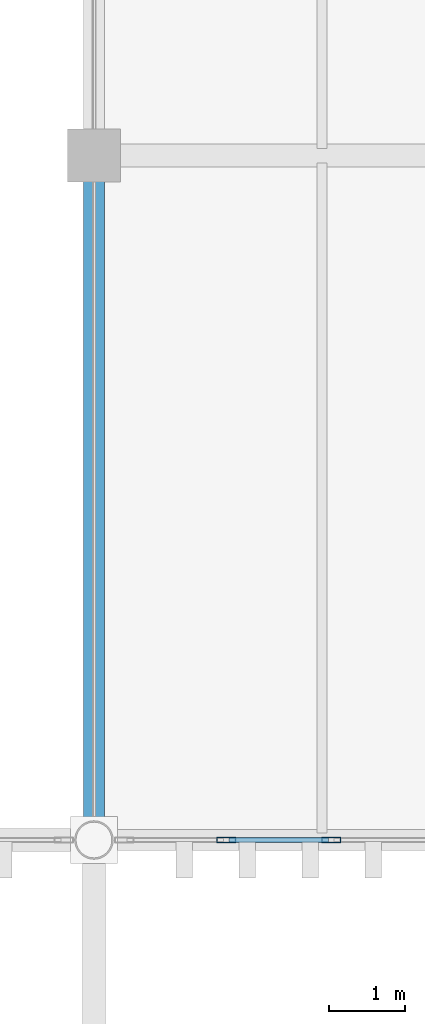
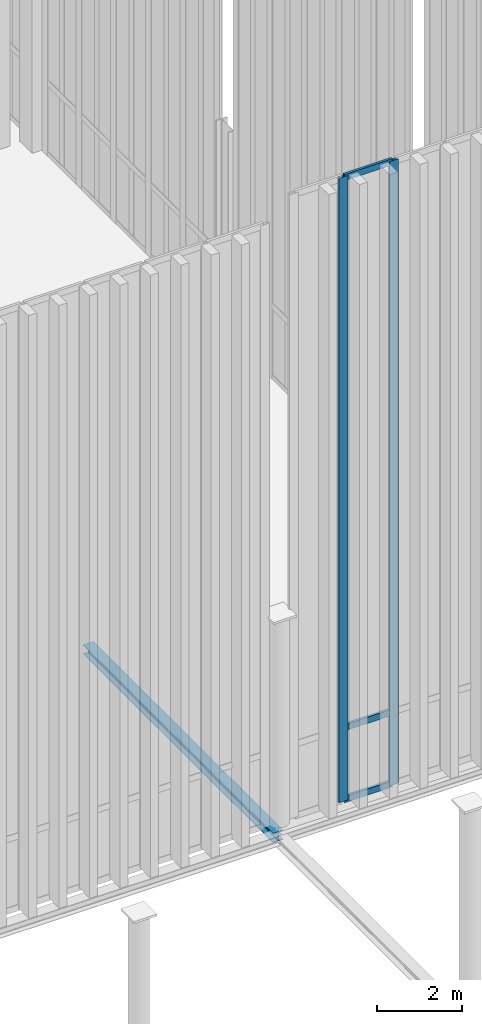
# One storey, part 46 of 237: 5 members, 1 beam, 1 element without a shape of its own.
"""IFC4 building model written with IfcOpenShell, lengths in metres."""

from ifc_helpers import new_model, si_unit, direction, frame, origin, origin_2d, place, context, subcontext, project, spatial, hollow_rectangle, i_section, extrude, material, layer, layer_set, material_profile, profile_set, type_object, element, aggregate, save


model = new_model("IFC4")

# Units and contexts
model_context = context("Model", 3, precision=1e-05, world=origin(), true_north=direction((0.0, 1.0)))
body_context = subcontext(model_context, "Body", "Model", "MODEL_VIEW")
ifc_project = project(units=[si_unit("LENGTHUNIT", "METRE"), si_unit("AREAUNIT", "SQUARE_METRE"), si_unit("VOLUMEUNIT", "CUBIC_METRE"), si_unit("PLANEANGLEUNIT", "RADIAN"), si_unit("MASSUNIT", "GRAM", prefix="KILO")], contexts=[model_context])

# Site, building, storey
site_placement = place(None, origin())
site = spatial("IfcSite", under=ifc_project, at=site_placement, CompositionType="ELEMENT")
building_placement = place(site_placement, origin())
building = spatial("IfcBuilding", under=site, at=building_placement, Name="Barlavento Convention Centre", CompositionType="ELEMENT")
storey_placement = place(building_placement, frame((0.0, 0.0, 12.0)))
storey = spatial("IfcBuildingStorey", under=building, at=storey_placement, Name="L02", CompositionType="ELEMENT", Elevation=12.0)

# Curtain wall, members
ifc_material_1 = material(Name="Powder-coated aluminium and Low-E glass", Category="aluminium")
ifc_layer = layer(ifc_material_1, 0.18994140625)
ifc_layer_set = layer_set([ifc_layer], Name="ARC-CW-CONG-L02")
curtain_wall_type = type_object("IfcCurtainWallType", Name="ARC-CW-CONG-L02", PredefinedType="NOTDEFINED", material=ifc_layer_set)
curtain_wall_placement = place(storey_placement, origin())
curtain_wall = element("IfcCurtainWall", 1, at=curtain_wall_placement, inside=storey, type_object=curtain_wall_type, Name="L02 unitised curtain wall CW02", PredefinedType="NOTDEFINED")
ifc_material_2 = material(Name="Powder-coated aluminium", Category="aluminium")
ifc_material_profile_1 = material_profile(ifc_material_2, hollow_rectangle(XDim=0.074951171875, YDim=0.25, WallThickness=0.006103515625, at=origin_2d()), Name="AL-MULL 75x250x6")
ifc_profile_set_1 = profile_set([ifc_material_profile_1], Name="Powder-coated aluminium")
member_type_1 = type_object("IfcMemberType", Name="ARC-CWM-75X250", PredefinedType="MULLION", material=ifc_profile_set_1)
member_1_placement = place(storey_placement, frame((55.7392578125, 9.0, 0.0), z_axis=(0.0, 0.0, 1.0), x_axis=(0.0, 1.0, 0.0)))
member_1 = element("IfcMember", 2, at=member_1_placement, type_object=member_type_1, Name="CW02 mullion 2", PredefinedType="MULLION", context=body_context, shape_type="SweptSolid", body=[
    extrude(hollow_rectangle(XDim=0.074951171875, YDim=0.25, WallThickness=0.006103515625, at=origin_2d()), origin(), (0.0, 0.0, 1.0), 17.971923828125),
])
member_2_placement = place(storey_placement, frame((57.11962890625, 9.0, 0.0), z_axis=(0.0, 0.0, 1.0), x_axis=(0.0, 1.0, 0.0)))
member_2 = element("IfcMember", 3, at=member_2_placement, type_object=member_type_1, Name="CW02 mullion 3", PredefinedType="MULLION", context=body_context, shape_type="SweptSolid", body=[
    extrude(hollow_rectangle(XDim=0.074951171875, YDim=0.25, WallThickness=0.006103515625, at=origin_2d()), origin(), (0.0, 0.0, 1.0), 17.971923828125),
])
ifc_material_profile_2 = material_profile(ifc_material_2, hollow_rectangle(XDim=0.070068359375, YDim=0.179931640625, WallThickness=0.0048828125, at=origin_2d()), Name="AL-TRAN 70x180x5")
ifc_profile_set_2 = profile_set([ifc_material_profile_2], Name="Powder-coated aluminium")
member_type_2 = type_object("IfcMemberType", Name="ARC-CWT-70X180", PredefinedType="USERDEFINED", material=ifc_profile_set_2)
member_3_placement = place(storey_placement, frame((55.77685546875, 9.0, 0.034912109375), z_axis=(1.0, 0.0, 0.0), x_axis=(0.0, 1.0, 0.0)))
member_3 = element("IfcMember", 4, at=member_3_placement, type_object=member_type_2, Name="CW02 transom 2.1", ObjectType="TRANSOM", PredefinedType="USERDEFINED", context=body_context, shape_type="SweptSolid", body=[
    extrude(hollow_rectangle(XDim=0.070068359375, YDim=0.179931640625, WallThickness=0.0048828125, at=origin_2d()), origin(), (0.0, 0.0, 1.0), 1.305419921875),
])
member_4_placement = place(storey_placement, frame((55.77685546875, 9.0, 2.10009765625), z_axis=(1.0, 0.0, 0.0), x_axis=(0.0, 1.0, 0.0)))
member_4 = element("IfcMember", 5, at=member_4_placement, type_object=member_type_2, Name="CW02 transom 2.2", ObjectType="TRANSOM", PredefinedType="USERDEFINED", context=body_context, shape_type="SweptSolid", body=[
    extrude(hollow_rectangle(XDim=0.070068359375, YDim=0.179931640625, WallThickness=0.0048828125, at=origin_2d()), origin(), (0.0, 0.0, 1.0), 1.305419921875),
])
member_5_placement = place(storey_placement, frame((55.77685546875, 9.0, 17.93701171875), z_axis=(1.0, 0.0, 0.0), x_axis=(0.0, 1.0, 0.0)))
member_5 = element("IfcMember", 6, at=member_5_placement, type_object=member_type_2, Name="CW02 transom 2.3", ObjectType="TRANSOM", PredefinedType="USERDEFINED", context=body_context, shape_type="SweptSolid", body=[
    extrude(hollow_rectangle(XDim=0.070068359375, YDim=0.179931640625, WallThickness=0.0048828125, at=origin_2d()), origin(), (0.0, 0.0, 1.0), 1.305419921875),
])
aggregate(curtain_wall, [member_1, member_2, member_3, member_4, member_5])

# Beam
ifc_material_3 = material(Name="Steel S355", Category="steel")
ifc_material_profile_3 = material_profile(ifc_material_3, i_section(OverallWidth=0.280029296875, OverallDepth=0.27001953125, WebThickness=0.008056640625, FlangeThickness=0.012939453125, FilletRadius=0.02392578125, at=origin_2d()), Name="HEA 280")
ifc_profile_set_3 = profile_set([ifc_material_profile_3], Name="Steel S355")
beam_type = type_object("IfcBeamType", Name="STR-BM-SPN-HEA280", PredefinedType="SPANDREL", material=ifc_profile_set_3)
beam_placement = place(storey_placement, frame((54.0, 9.02001953125, -0.43505859375), z_axis=(0.0, 1.0, 0.0), x_axis=(-1.0, 0.0, 0.0)))
element("IfcBeam", 7, at=beam_placement, inside=storey, type_object=beam_type, Name="L02 grid girder SP03", PredefinedType="SPANDREL", context=body_context, shape_type="SweptSolid", body=[
    extrude(i_section(OverallWidth=0.280029296875, OverallDepth=0.27001953125, WebThickness=0.008056640625, FlangeThickness=0.012939453125, FilletRadius=0.02392578125, at=origin_2d()), origin(), (0.0, 0.0, 1.0), 8.9599609375),
])

save(model, "model.ifc")
